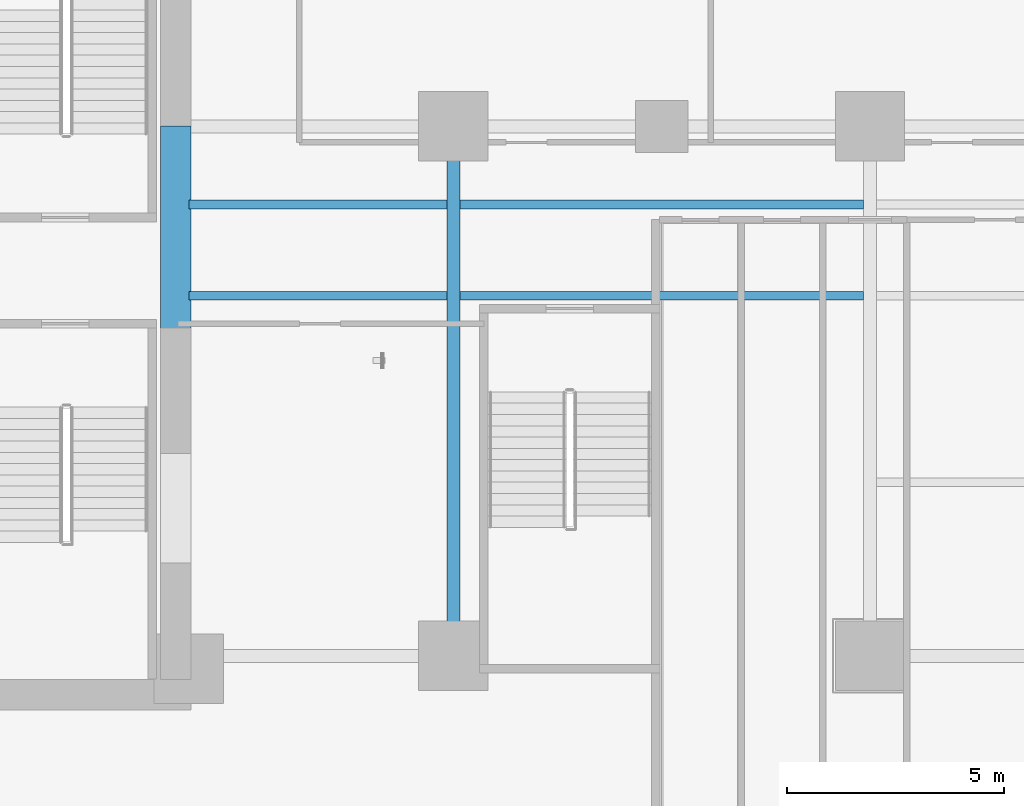
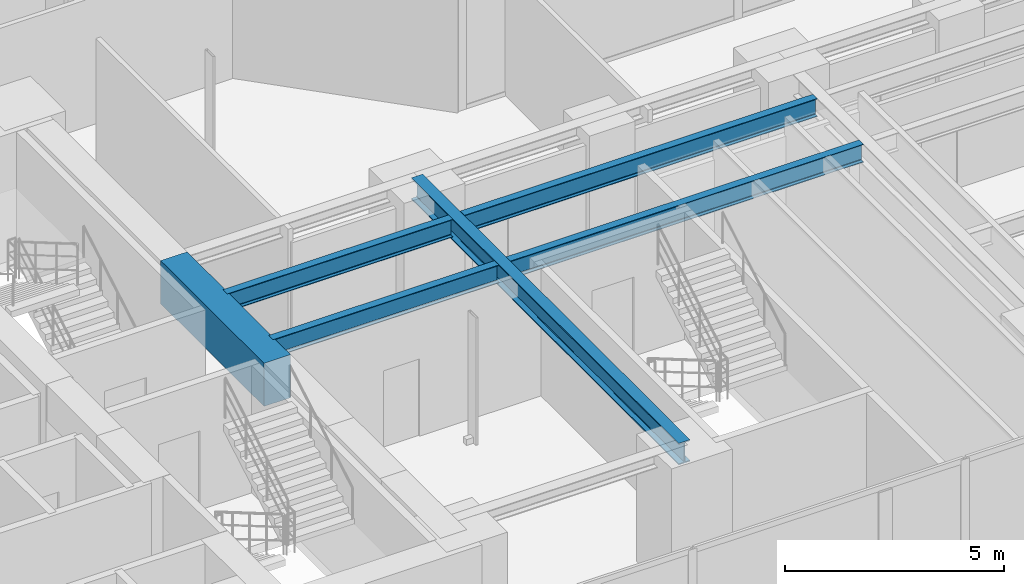
# One storey, part 5 of 28: 6 beams.
"""IFC4 building model written with IfcOpenShell, lengths in metres."""

from ifc_helpers import new_model, si_unit, direction, frame, origin, origin_2d, place, context, subcontext, project, spatial, rectangle, i_section, extrude, material, material_profile, profile_set, type_object, element, save


model = new_model("IFC4")

# Units and contexts
model_context = context("Model", 3, precision=1e-05, world=origin(), true_north=direction((0.0, 1.0)))
body_context = subcontext(model_context, "Body", "Model", "MODEL_VIEW")
ifc_project = project(units=[si_unit("LENGTHUNIT", "METRE"), si_unit("AREAUNIT", "SQUARE_METRE"), si_unit("VOLUMEUNIT", "CUBIC_METRE"), si_unit("PLANEANGLEUNIT", "RADIAN"), si_unit("MASSUNIT", "GRAM", prefix="KILO")], contexts=[model_context])

# Site, building, storey
site_placement = place(None, origin())
site = spatial("IfcSite", under=ifc_project, at=site_placement, CompositionType="ELEMENT")
building_placement = place(site_placement, origin())
building = spatial("IfcBuilding", under=site, at=building_placement, Name="Kolvaren Waterfront Exchange", CompositionType="ELEMENT")
storey_placement = place(building_placement, frame((0.0, 0.0, 41.0)))
storey = spatial("IfcBuildingStorey", under=building, at=storey_placement, Name="L10", CompositionType="ELEMENT", Elevation=41.0)

# Beams
ifc_material_1 = material(Name="Steel S355", Category="steel")
ifc_material_profile_1 = material_profile(ifc_material_1, i_section(OverallWidth=0.300048828125, OverallDepth=0.60009765625, WebThickness=0.015380859375, FlangeThickness=0.030029296875, FilletRadius=0.027099609375, at=origin_2d()), Name="HEB600")
ifc_profile_set_1 = profile_set([ifc_material_profile_1], Name="Steel S355")
beam_type_1 = type_object("IfcBeamType", Name="STR-BM-HEB600", PredefinedType="BEAM", material=ifc_profile_set_1)
beam_1_placement = place(storey_placement, frame((27.199951171875, 5.199951171875, 3.239990234375), z_axis=(0.0, 1.0, 0.0), x_axis=(-1.0, 0.0, 0.0)))
element("IfcBeam", 1, at=beam_1_placement, inside=storey, type_object=beam_type_1, Name="L10 east-arm transverse girder X27", PredefinedType="BEAM", context=body_context, shape_type="SweptSolid", body=[
    extrude(i_section(OverallWidth=0.300048828125, OverallDepth=0.60009765625, WebThickness=0.015380859375, FlangeThickness=0.030029296875, FilletRadius=0.027099609375, at=origin_2d()), origin(), (0.0, 0.0, 1.0), 12.199951171875),
])
ifc_material_profile_2 = material_profile(ifc_material_1, i_section(OverallWidth=0.199951171875, OverallDepth=0.5, WebThickness=0.01025390625, FlangeThickness=0.01611328125, FilletRadius=0.02099609375, at=origin_2d()), Name="IPE500")
ifc_profile_set_2 = profile_set([ifc_material_profile_2], Name="Steel S355")
beam_type_2 = type_object("IfcBeamType", Name="STR-BM-IPE500", PredefinedType="JOIST", material=ifc_profile_set_2)
for number, where, z_axis, x_axis, name in (
    (2, (21.10009765625, 13.5, 3.2900390625), (1.0, 0.0, 0.0), (0.0, 1.0, 0.0), "L10 east-arm composite joist 1A"),
    (3, (21.10009765625, 15.60009765625, 3.2900390625), (1.0, 0.0, 0.0), (0.0, 1.0, 0.0), "L10 east-arm composite joist 1C"),
):
    element("IfcBeam", number, at=place(storey_placement, frame(where, z_axis=z_axis, x_axis=x_axis)), inside=storey, type_object=beam_type_2, Name=name, PredefinedType="JOIST", context=body_context, shape_type="SweptSolid", body=[
        extrude(i_section(OverallWidth=0.199951171875, OverallDepth=0.5, WebThickness=0.01025390625, FlangeThickness=0.01611328125, FilletRadius=0.02099609375, at=origin_2d()), origin(), (0.0, 0.0, 1.0), 5.947998046875),
    ])
for number, where, z_axis, x_axis, name in (
    (4, (27.35205078125, 13.5, 3.2900390625), (1.0, 0.0, 0.0), (0.0, 1.0, 0.0), "L10 east-arm composite joist 2A"),
    (5, (27.35205078125, 15.60009765625, 3.2900390625), (1.0, 0.0, 0.0), (0.0, 1.0, 0.0), "L10 east-arm composite joist 2C"),
):
    element("IfcBeam", number, at=place(storey_placement, frame(where, z_axis=z_axis, x_axis=x_axis)), inside=storey, type_object=beam_type_2, Name=name, PredefinedType="JOIST", context=body_context, shape_type="SweptSolid", body=[
        extrude(i_section(OverallWidth=0.199951171875, OverallDepth=0.5, WebThickness=0.01025390625, FlangeThickness=0.01611328125, FilletRadius=0.02099609375, at=origin_2d()), origin(), (0.0, 0.0, 1.0), 9.2958984375),
    ])
ifc_material_2 = material(Name="Concrete C70/85", Category="concrete")
ifc_material_profile_3 = material_profile(ifc_material_2, rectangle(XDim=0.699951171875, YDim=1.199951171875, at=origin_2d()), Name="RC-CB-1200x700")
ifc_profile_set_3 = profile_set([ifc_material_profile_3], Name="Concrete C70/85")
beam_type_3 = type_object("IfcBeamType", Name="STR-CB-1200", PredefinedType="SPANDREL", material=ifc_profile_set_3)
beam_2_placement = place(storey_placement, frame((20.800048828125, 12.68994140625, 2.93994140625), z_axis=(0.0, 1.0, 0.0), x_axis=(-1.0, 0.0, 0.0)))
element("IfcBeam", 6, at=beam_2_placement, inside=storey, type_object=beam_type_3, Name="L10 core coupling beam 2", PredefinedType="SPANDREL", context=body_context, shape_type="SweptSolid", body=[
    extrude(rectangle(XDim=0.699951171875, YDim=1.199951171875, at=origin_2d()), origin(), (0.0, 0.0, 1.0), 4.719970703125),
])

save(model, "model.ifc")
